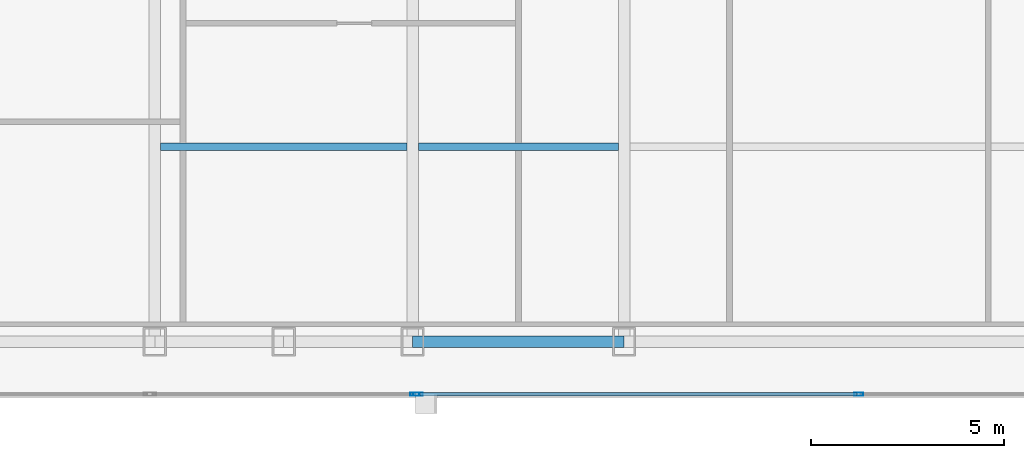
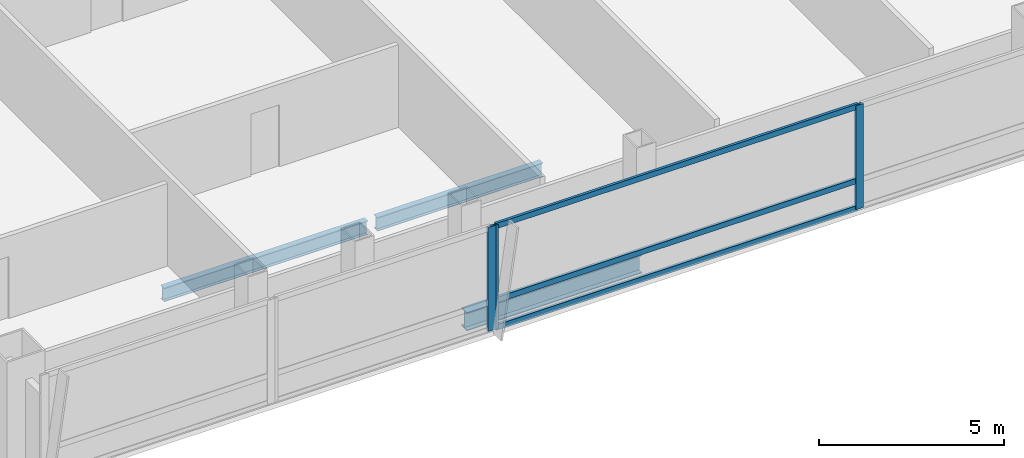
# One storey, part 8 of 30: 6 members, 3 beams, 2 elements without a shape of their own.
"""IFC4 building model written with IfcOpenShell, lengths in metres."""

import ifcopenshell
import ifcopenshell.guid

model = None  # the IFC model being written
_history = None  # IfcOwnerHistory: only IFC2X3 demands one
_inside = {}  # id of a spatial element -> (the spatial element, [elements in it])
_under = {}  # id of a project, library or spatial element -> (it, [spatial elements below it])
_declared = {}  # id of a project -> (the project, [libraries it declares])
_typed = {}  # id of a type object -> (the type object, [elements of that type])
_made_of = {}  # id of a material, layer set ... -> (it, [elements and type objects made of it])


def new_model(schema):
    """Start an empty IFC model of exactly this schema.

    Asked for "IFC4X3", IfcOpenShell would pick the latest addendum, in which some entities
    have other attributes; the version numbers below select the first issue.
    IFC2X3 requires an IfcOwnerHistory on every rooted entity: one is made here for all.
    """
    global model, _history
    if schema == "IFC4X3":
        model = ifcopenshell.file(schema_version=(4, 3, 0, 0))
    else:
        model = ifcopenshell.file(schema=schema)
    _inside.clear()
    _under.clear()
    _declared.clear()
    _typed.clear()
    _made_of.clear()
    _history = None
    if model.schema == "IFC2X3":
        org = make("IfcOrganization", Name="unknown")
        user = make(
            "IfcPersonAndOrganization",
            ThePerson=make("IfcPerson", FamilyName="unknown"),
            TheOrganization=org,
        )
        app = make(
            "IfcApplication",
            ApplicationDeveloper=org,
            Version="unknown",
            ApplicationFullName="unknown",
            ApplicationIdentifier="unknown",
        )
        _history = make(
            "IfcOwnerHistory",
            OwningUser=user,
            OwningApplication=app,
            ChangeAction="ADDED",
            CreationDate=0,
        )
    return model


def make(cls, **values):
    """One entity of the class cls with the attributes given. An attribute that is None is left unset."""
    return model.create_entity(
        cls, **{name: value for name, value in values.items() if value is not None}
    )


def rooted(cls, **values):
    """An entity with a GlobalId (a new one), such as an element, a storey or a relation."""
    return make(cls, GlobalId=ifcopenshell.guid.new(), OwnerHistory=_history, **values)


def si_unit(unit_type, name, prefix=None):
    """IfcSIUnit, for example si_unit("LENGTHUNIT", "METRE", prefix="MILLI")."""
    return make("IfcSIUnit", UnitType=unit_type, Prefix=prefix, Name=name)


def assignment(units):
    """IfcUnitAssignment: the units of a project."""
    return None if units is None else make("IfcUnitAssignment", Units=units)


def point(xyz):
    """IfcCartesianPoint."""
    return None if xyz is None else make("IfcCartesianPoint", Coordinates=xyz)


def direction(xyz):
    """IfcDirection."""
    return None if xyz is None else make("IfcDirection", DirectionRatios=xyz)


def frame(location, z_axis=None, x_axis=None):
    """IfcAxis2Placement3D, a coordinate frame: its origin and axes. An axis left out is left unset."""
    return make(
        "IfcAxis2Placement3D",
        Location=point(location),
        Axis=direction(z_axis),
        RefDirection=direction(x_axis),
    )


def frame_2d(location, x_axis=None):
    """IfcAxis2Placement2D, a coordinate frame in the plane: its origin and x axis."""
    return make(
        "IfcAxis2Placement2D", Location=point(location), RefDirection=direction(x_axis)
    )


def origin():
    """The frame at (0, 0, 0) with its axes left unset."""
    return frame((0.0, 0.0, 0.0))


def origin_2d():
    """The frame at (0, 0) in the plane with its x axis left unset."""
    return frame_2d((0.0, 0.0))


def place(relative_to, where):
    """IfcLocalPlacement: puts the frame where relative to a parent placement (None: the world)."""
    return make(
        "IfcLocalPlacement", PlacementRelTo=relative_to, RelativePlacement=where
    )


def context(
    kind, dimensions, precision=None, world=None, true_north=None, identifier=None
):
    """IfcGeometricRepresentationContext, for example the 3D "Model" context."""
    return make(
        "IfcGeometricRepresentationContext",
        ContextIdentifier=identifier,
        ContextType=kind,
        CoordinateSpaceDimension=dimensions,
        Precision=precision,
        WorldCoordinateSystem=world,
        TrueNorth=true_north,
    )


def subcontext(parent, identifier, kind, view, scale=None):
    """IfcGeometricRepresentationSubContext, for example "Body" below "Model"."""
    return make(
        "IfcGeometricRepresentationSubContext",
        ContextIdentifier=identifier,
        ContextType=kind,
        ParentContext=parent,
        TargetScale=scale,
        TargetView=view,
    )


def project(units=None, contexts=None):
    """IfcProject with its units and contexts."""
    return rooted(
        "IfcProject",
        Name="project",
        RepresentationContexts=contexts,
        UnitsInContext=assignment(units),
    )


def spatial(cls, under=None, at=None, **own):
    """A site, building, storey or space (cls), placed at a placement, below another one or the project."""
    s = rooted(cls, ObjectPlacement=at, **own)
    if under is not None:
        _under.setdefault(under.id(), (under, []))[1].append(s)
    return s


def profile(cls, at=None, kind="AREA", **sizes):
    """A parametric profile (cls). Its sizes go by their IFC names, for example OverallWidth=200.0."""
    return make(cls, ProfileType=kind, Position=at, **sizes)


def hollow_rectangle(**sizes):
    """IfcRectangleHollowProfileDef."""
    return profile("IfcRectangleHollowProfileDef", **sizes)


def i_section(**sizes):
    """IfcIShapeProfileDef."""
    return profile("IfcIShapeProfileDef", **sizes)


def extrude(swept, where, along, depth):
    """IfcExtrudedAreaSolid: the profile swept, set in the frame where, extruded along a direction by depth."""
    return make(
        "IfcExtrudedAreaSolid",
        SweptArea=swept,
        Position=where,
        ExtrudedDirection=direction(along),
        Depth=depth,
    )


def shape(context_of_items, identifier, shape_type, items):
    """IfcShapeRepresentation: the items that make up one representation, for example the "Body"."""
    return make(
        "IfcShapeRepresentation",
        ContextOfItems=context_of_items,
        RepresentationIdentifier=identifier,
        RepresentationType=shape_type,
        Items=items,
    )


def material(Name=None, Category=None):
    """IfcMaterial."""
    return make("IfcMaterial", Name=Name, Category=Category)


def material_profile(
    of_material, cross_section, Name=None, Category=None, Priority=None
):
    """IfcMaterialProfile: a cross section and its material."""
    return make(
        "IfcMaterialProfile",
        Name=Name,
        Material=of_material,
        Profile=cross_section,
        Priority=Priority,
        Category=Category,
    )


def profile_set(profiles, Name=None, composite=None):
    """IfcMaterialProfileSet."""
    return make(
        "IfcMaterialProfileSet",
        Name=Name,
        MaterialProfiles=profiles,
        CompositeProfile=composite,
    )


def made_of(thing, what):
    """Note that an element or type object is made of a material, layer set ...; save() writes the relation."""
    if what is not None:
        _made_of.setdefault(what.id(), (what, []))[1].append(thing)
    return thing


def type_object(cls, material=None, **own):
    """A type object (cls), such as IfcWallType, which elements share."""
    return made_of(rooted(cls, **own), material)


def element(
    cls,
    number,
    at=None,
    inside=None,
    cuts=None,
    type_object=None,
    material=None,
    context=None,
    identifier="Body",
    shape_type=None,
    held_by="IfcProductDefinitionShape",
    body=None,
    shapes=None,
    **own,
):
    """One element of the class cls, such as IfcWall. Its Tag is "e" and its number.

    at: its placement. inside: the storey or other place that contains it. cuts: it is an
    opening in that element (IfcRelVoidsElement). A single representation is given by context,
    identifier, shape_type and body (its items); several are given by shapes. held_by: the class
    of the entity that holds the representations. save() writes the other relations.
    """
    e = rooted(cls, Tag="e%d" % number, ObjectPlacement=at, **own)
    if body is not None:
        shapes = [shape(context, identifier, shape_type, body)]
    if shapes is not None:
        e.Representation = make(held_by, Representations=shapes)
    if inside is not None:
        _inside.setdefault(inside.id(), (inside, []))[1].append(e)
    if cuts is not None:
        rooted(
            "IfcRelVoidsElement", RelatingBuildingElement=cuts, RelatedOpeningElement=e
        )
    if type_object is not None:
        _typed.setdefault(type_object.id(), (type_object, []))[1].append(e)
    return made_of(e, material)


def aggregate(whole, parts):
    """IfcRelAggregates: a whole, such as a stair, and the parts it consists of."""
    return rooted("IfcRelAggregates", RelatingObject=whole, RelatedObjects=parts)


def save(model, path):
    """Write the relations noted so far, then the file.

    IfcRelAggregates (storeys below a building ...), IfcRelContainedInSpatialStructure (elements
    in a storey), IfcRelDefinesByType, IfcRelAssociatesMaterial and IfcRelDeclares: one each for
    every whole, place, type object, material and project.
    """
    for whole, parts in _under.values():
        aggregate(whole, parts)
    for where, things in _inside.values():
        rooted(
            "IfcRelContainedInSpatialStructure",
            RelatedElements=things,
            RelatingStructure=where,
        )
    for kind, things in _typed.values():
        rooted("IfcRelDefinesByType", RelatedObjects=things, RelatingType=kind)
    for what, things in _made_of.values():
        rooted("IfcRelAssociatesMaterial", RelatedObjects=things, RelatingMaterial=what)
    for by, libraries in _declared.values():
        rooted("IfcRelDeclares", RelatingContext=by, RelatedDefinitions=libraries)
    model.write(path)


model = new_model("IFC4")

# Units and contexts
model_context = context("Model", 3, precision=1e-05, world=origin(), true_north=direction((0.0, 1.0)))
body_context = subcontext(model_context, "Body", "Model", "MODEL_VIEW")
ifc_project = project(units=[si_unit("LENGTHUNIT", "METRE"), si_unit("AREAUNIT", "SQUARE_METRE"), si_unit("VOLUMEUNIT", "CUBIC_METRE"), si_unit("PLANEANGLEUNIT", "RADIAN"), si_unit("MASSUNIT", "GRAM", prefix="KILO")], contexts=[model_context])

# Site, building, storey
site_placement = place(None, origin())
site = spatial("IfcSite", under=ifc_project, at=site_placement, CompositionType="ELEMENT")
building_placement = place(site_placement, origin())
building = spatial("IfcBuilding", under=site, at=building_placement, Name="Khoronbel Lancet Exchange", CompositionType="ELEMENT")
storey_placement = place(building_placement, frame((0.0, 0.0, 203.0)))
storey = spatial("IfcBuildingStorey", under=building, at=storey_placement, Name="L51", CompositionType="ELEMENT", Elevation=203.0)

# Beams
ifc_material_1 = material(Name="Steel S355", Category="steel")
ifc_material_profile_1 = material_profile(ifc_material_1, i_section(OverallWidth=0.18994140625, OverallDepth=0.449951171875, WebThickness=0.009521484375, FlangeThickness=0.0146484375, at=origin_2d()), Name="IPE 450")
ifc_profile_set_1 = profile_set([ifc_material_profile_1], Name="Steel S355")
beam_type_1 = type_object("IfcBeamType", Name="BM-BJ4", PredefinedType="JOIST", material=ifc_profile_set_1)
beam_1_placement = place(storey_placement, frame((18.375, 15.199951171875, -0.385009765625), z_axis=(1.0, 0.0, 0.0), x_axis=(0.0, 1.0, 0.0)))
element("IfcBeam", 1, at=beam_1_placement, inside=storey, type_object=beam_type_1, Name="Level L51 secondary composite joist J01", PredefinedType="JOIST", context=body_context, shape_type="SweptSolid", body=[
    extrude(i_section(OverallWidth=0.18994140625, OverallDepth=0.449951171875, WebThickness=0.009521484375, FlangeThickness=0.0146484375, at=origin_2d()), origin(), (0.0, 0.0, 1.0), 6.375),
])
beam_2_placement = place(storey_placement, frame((25.050048828125, 15.199951171875, -0.385009765625), z_axis=(1.0, 0.0, 0.0), x_axis=(0.0, 1.0, 0.0)))
element("IfcBeam", 2, at=beam_2_placement, inside=storey, type_object=beam_type_1, Name="Level L51 secondary composite joist J02", PredefinedType="JOIST", context=body_context, shape_type="SweptSolid", body=[
    extrude(i_section(OverallWidth=0.18994140625, OverallDepth=0.449951171875, WebThickness=0.009521484375, FlangeThickness=0.0146484375, at=origin_2d()), origin(), (0.0, 0.0, 1.0), 5.175048828125),
])
ifc_material_profile_2 = material_profile(ifc_material_1, i_section(OverallWidth=0.300048828125, OverallDepth=0.60009765625, WebThickness=0.015380859375, FlangeThickness=0.030029296875, at=origin_2d()), Name="HEB 600")
ifc_profile_set_2 = profile_set([ifc_material_profile_2], Name="Steel S355")
beam_type_2 = type_object("IfcBeamType", Name="BM-BSP2", PredefinedType="SPANDREL", material=ifc_profile_set_2)
beam_3_placement = place(storey_placement, frame((24.89990234375, 10.14990234375, -0.4599609375), z_axis=(1.0, 0.0, 0.0), x_axis=(0.0, 1.0, 0.0)))
element("IfcBeam", 3, at=beam_3_placement, inside=storey, type_object=beam_type_2, Name="Level L51 perimeter spandrel beam SP04", PredefinedType="SPANDREL", context=body_context, shape_type="SweptSolid", body=[
    extrude(i_section(OverallWidth=0.300048828125, OverallDepth=0.60009765625, WebThickness=0.015380859375, FlangeThickness=0.030029296875, at=origin_2d()), origin(), (0.0, 0.0, 1.0), 5.47509765625),
])

# Curtain wall, member
ifc_material_2 = material(Name="Low-E Solar Control Insulating Glass", Category="glass")
curtain_wall_type = type_object("IfcCurtainWallType", Name="CW-3", PredefinedType="NOTDEFINED", material=ifc_material_2)
curtain_wall_1_placement = place(storey_placement, origin())
curtain_wall_1 = element("IfcCurtainWall", 4, at=curtain_wall_1_placement, inside=storey, type_object=curtain_wall_type, Name="Unitised curtain wall CW-L51-SWB", PredefinedType="NOTDEFINED")
ifc_material_3 = material(Name="Bronze-Anodised Aluminium 6063-T6", Category="aluminium")
ifc_material_profile_3 = material_profile(ifc_material_3, hollow_rectangle(XDim=0.0849609375, YDim=0.239990234375, WallThickness=0.006103515625, at=origin_2d()), Name="ALU MULLION 85x240")
ifc_profile_set_3 = profile_set([ifc_material_profile_3], Name="Bronze-Anodised Aluminium 6063-T6")
member_type_1 = type_object("IfcMemberType", Name="MEM-CWM1", PredefinedType="MULLION", material=ifc_profile_set_3)
member_1_placement = place(storey_placement, frame((24.95751953125, 8.7900390625, 0.0), z_axis=(0.0, 0.0, 1.0), x_axis=(0.0, 1.0, 0.0)))
member_1 = element("IfcMember", 5, at=member_1_placement, type_object=member_type_1, Name="CW3 mullion 2", PredefinedType="MULLION", context=body_context, shape_type="SweptSolid", body=[
    extrude(hollow_rectangle(XDim=0.0849609375, YDim=0.239990234375, WallThickness=0.006103515625, at=origin_2d()), origin(), (0.0, 0.0, 1.0), 3.43994140625),
])
aggregate(curtain_wall_1, [member_1])

# Curtain wall, members
curtain_wall_2_placement = place(storey_placement, origin())
curtain_wall_2 = element("IfcCurtainWall", 6, at=curtain_wall_2_placement, inside=storey, type_object=curtain_wall_type, Name="Unitised curtain wall CW-L51-SCV", PredefinedType="NOTDEFINED")
member_2_placement = place(storey_placement, frame((25.04248046875, 8.7900390625, 0.0), z_axis=(0.0, 0.0, 1.0), x_axis=(0.0, 1.0, 0.0)))
member_2 = element("IfcMember", 7, at=member_2_placement, type_object=member_type_1, Name="CW3 mullion 1", PredefinedType="MULLION", context=body_context, shape_type="SweptSolid", body=[
    extrude(hollow_rectangle(XDim=0.0849609375, YDim=0.239990234375, WallThickness=0.006103515625, at=origin_2d()), origin(), (0.0, 0.0, 1.0), 3.43994140625),
])
member_3_placement = place(storey_placement, frame((36.449951171875, 8.7900390625, 0.0), z_axis=(0.0, 0.0, 1.0), x_axis=(0.0, 1.0, 0.0)))
member_3 = element("IfcMember", 8, at=member_3_placement, type_object=member_type_1, Name="CW3 mullion 2", PredefinedType="MULLION", context=body_context, shape_type="SweptSolid", body=[
    extrude(hollow_rectangle(XDim=0.0849609375, YDim=0.239990234375, WallThickness=0.006103515625, at=origin_2d()), origin(), (0.0, 0.0, 1.0), 3.43994140625),
])
ifc_material_profile_4 = material_profile(ifc_material_3, hollow_rectangle(XDim=0.0849609375, YDim=0.179931640625, WallThickness=0.0048828125, at=origin_2d()), Name="ALU TRANSOM 85x180")
ifc_profile_set_4 = profile_set([ifc_material_profile_4], Name="Bronze-Anodised Aluminium 6063-T6")
member_type_2 = type_object("IfcMemberType", Name="MEM-CWT1", PredefinedType="USERDEFINED", material=ifc_profile_set_4)
member_4_placement = place(storey_placement, frame((25.0849609375, 8.7900390625, 0.04248046875), z_axis=(1.0, 0.0, 0.0), x_axis=(0.0, 1.0, 0.0)))
member_4 = element("IfcMember", 9, at=member_4_placement, type_object=member_type_2, Name="CW3 transom 1.1", ObjectType="TRANSOM", PredefinedType="USERDEFINED", context=body_context, shape_type="SweptSolid", body=[
    extrude(hollow_rectangle(XDim=0.0849609375, YDim=0.179931640625, WallThickness=0.0048828125, at=origin_2d()), origin(), (0.0, 0.0, 1.0), 11.322509765625),
])
member_5_placement = place(storey_placement, frame((25.0849609375, 8.7900390625, 0.949951171875), z_axis=(1.0, 0.0, 0.0), x_axis=(0.0, 1.0, 0.0)))
member_5 = element("IfcMember", 10, at=member_5_placement, type_object=member_type_2, Name="CW3 transom 1.2", ObjectType="TRANSOM", PredefinedType="USERDEFINED", context=body_context, shape_type="SweptSolid", body=[
    extrude(hollow_rectangle(XDim=0.0849609375, YDim=0.179931640625, WallThickness=0.0048828125, at=origin_2d()), origin(), (0.0, 0.0, 1.0), 11.322509765625),
])
member_6_placement = place(storey_placement, frame((25.0849609375, 8.7900390625, 3.3974609375), z_axis=(1.0, 0.0, 0.0), x_axis=(0.0, 1.0, 0.0)))
member_6 = element("IfcMember", 11, at=member_6_placement, type_object=member_type_2, Name="CW3 transom 1.3", ObjectType="TRANSOM", PredefinedType="USERDEFINED", context=body_context, shape_type="SweptSolid", body=[
    extrude(hollow_rectangle(XDim=0.0849609375, YDim=0.179931640625, WallThickness=0.0048828125, at=origin_2d()), origin(), (0.0, 0.0, 1.0), 11.322509765625),
])
aggregate(curtain_wall_2, [member_2, member_3, member_4, member_5, member_6])

save(model, "model.ifc")
